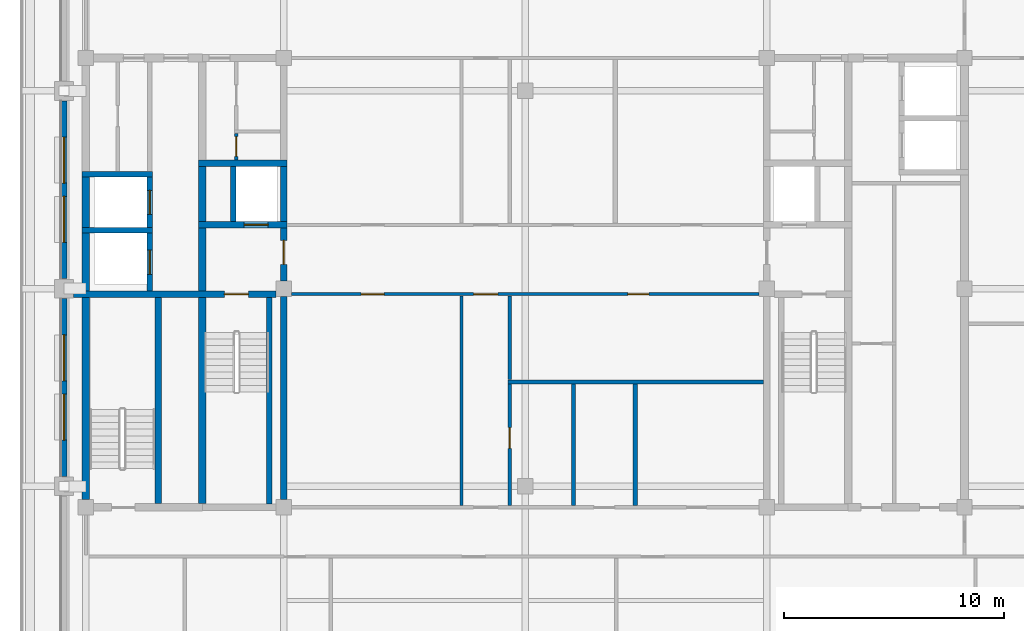
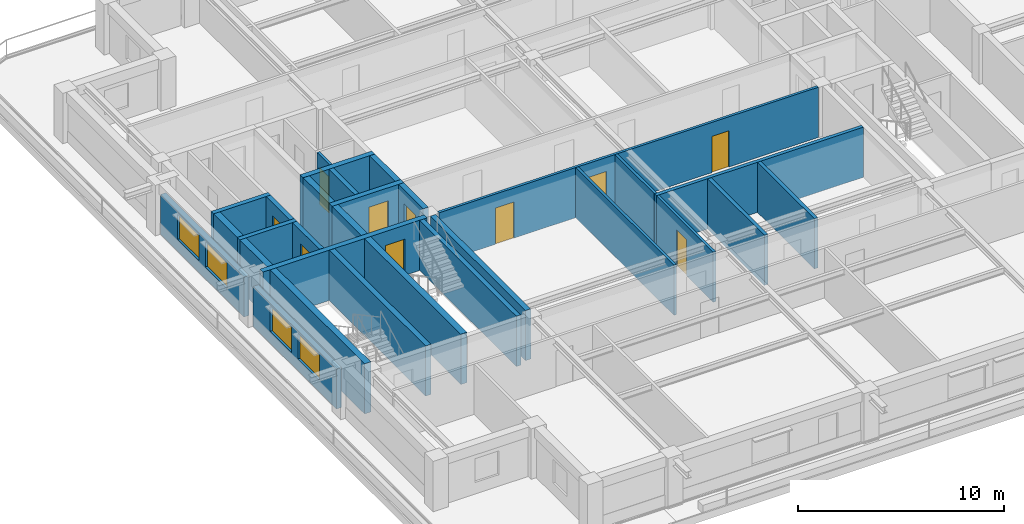
# One storey, part 3 of 11: 29 walls, 10 doors, 4 windows, 14 openings.
"""IFC4 building model written with IfcOpenShell, lengths in metres."""

from ifc_helpers import new_model, si_unit, direction, frame, frame_2d, origin, place, context, subcontext, project, spatial, rectangle, extrude, material, layer, layer_set, type_object, element, fill, save


model = new_model("IFC4")

# Units and contexts
model_context = context("Model", 3, precision=1e-05, world=origin(), true_north=direction((0.0, 1.0)))
body_context = subcontext(model_context, "Body", "Model", "MODEL_VIEW")
ifc_project = project(units=[si_unit("LENGTHUNIT", "METRE"), si_unit("AREAUNIT", "SQUARE_METRE"), si_unit("VOLUMEUNIT", "CUBIC_METRE"), si_unit("PLANEANGLEUNIT", "RADIAN"), si_unit("MASSUNIT", "GRAM", prefix="KILO")], contexts=[model_context])

# Site, building, storey
site_placement = place(None, origin())
site = spatial("IfcSite", under=ifc_project, at=site_placement, CompositionType="ELEMENT")
building_placement = place(site_placement, origin())
building = spatial("IfcBuilding", under=site, at=building_placement, Name="Zulmaris Gate Convention Tower", CompositionType="ELEMENT")
storey_placement = place(building_placement, frame((0.0, 0.0, 233.280029296875)))
storey = spatial("IfcBuildingStorey", under=building, at=storey_placement, Name="L61", CompositionType="ELEMENT", Elevation=233.280029296875)

# Walls
ifc_material_1 = material(Name="Concrete C50/60", Category="concrete")
ifc_layer_1 = layer(ifc_material_1, 0.25, Name="Concrete C50/60")
ifc_layer_set_1 = layer_set([ifc_layer_1], Name="Concrete C50/60")
wall_type_1 = type_object("IfcWallType", Name="CORE-250", PredefinedType="SOLIDWALL", material=ifc_layer_set_1)
for number, where, z_axis, x_axis, name in (
    (1, (-20.175048828125, 2.64990234375, 0.0), (0.0, 0.0, 1.0), (1.0, 0.0, 0.0), "WL-L61-007"),
    (2, (-20.175048828125, 5.199951171875, 0.0), (0.0, 0.0, 1.0), (1.0, 0.0, 0.0), "WL-L61-010"),
):
    element("IfcWall", number, at=place(storey_placement, frame(where, z_axis=z_axis, x_axis=x_axis)), inside=storey, type_object=wall_type_1, Name=name, PredefinedType="SOLIDWALL", context=body_context, shape_type="SweptSolid", body=[
        extrude(rectangle(XDim=3.199951171875, YDim=0.25, at=frame_2d((1.60009765625, 0.0))), origin(), (0.0, 0.0, 1.0), 2.97998046875),
    ])

# Wall, opening, door
wall_1_placement = place(storey_placement, frame((-17.10009765625, -0.097900390625, 0.0), z_axis=(0.0, 0.0, 1.0), x_axis=(0.0, 1.0, 0.0)))
wall_1 = element("IfcWall", 3, at=wall_1_placement, inside=storey, type_object=wall_type_1, Name="WL-L61-037", PredefinedType="SOLIDWALL", context=body_context, shape_type="SweptSolid", body=[
    extrude(rectangle(XDim=2.620849609375, YDim=0.25, at=frame_2d((1.310546875, 0.0))), origin(), (0.0, 0.0, 1.0), 2.97998046875),
])
opening_1_placement = place(wall_1_placement, frame((0.748046875, 0.0, 0.0)))
opening_1 = element("IfcOpeningElement", 4, at=opening_1_placement, cuts=wall_1, Name="Opening D-06", PredefinedType="OPENING", context=body_context, shape_type="SweptSolid", body=[
    extrude(rectangle(XDim=1.10009765625, YDim=2.199951171875, at=frame_2d((0.550048828125, 1.10009765625))), frame((0.0, 0.135009765625, 0.0), z_axis=(0.0, -1.0, 0.0), x_axis=(1.0, 0.0, 0.0)), (0.0, 0.0, 1.0), 0.27001953125),
])
ifc_material_2 = material(Name="Brushed Stainless Steel", Category="steel")
door_type_1 = type_object("IfcDoorType", Name="LD-1100", OperationType="NOTDEFINED", PredefinedType="DOOR", material=ifc_material_2)
door_1_placement = place(opening_1_placement, origin())
door_1 = element("IfcDoor", 5, at=door_1_placement, inside=storey, type_object=door_type_1, Name="L61 Lift Landing Door HP-03 14", OperationType="SLIDING_TO_LEFT", OverallHeight=2.199951171875, OverallWidth=1.10009765625, PredefinedType="DOOR", context=body_context, shape_type="SweptSolid", body=[
    extrude(rectangle(XDim=1.10009765625, YDim=2.199951171875, at=frame_2d((0.550048828125, 1.10009765625))), frame((0.0, 0.02490234375, 0.0), z_axis=(0.0, -1.0, 0.0), x_axis=(1.0, 0.0, 0.0)), (0.0, 0.0, 1.0), 0.050048828125),
])
fill(opening_1, door_1)

wall_2_placement = place(storey_placement, frame((-17.10009765625, 2.777099609375, 0.0), z_axis=(0.0, 0.0, 1.0), x_axis=(0.0, 1.0, 0.0)))
wall_2 = element("IfcWall", 6, at=wall_2_placement, inside=storey, type_object=wall_type_1, Name="WL-L61-038", PredefinedType="SOLIDWALL", context=body_context, shape_type="SweptSolid", body=[
    extrude(rectangle(XDim=2.2958984375, YDim=0.25, at=frame_2d((1.14794921875, 0.0))), origin(), (0.0, 0.0, 1.0), 2.97998046875),
])
opening_2_placement = place(wall_2_placement, frame((0.597900390625, 0.0, 0.0)))
opening_2 = element("IfcOpeningElement", 7, at=opening_2_placement, cuts=wall_2, Name="Opening D-06", PredefinedType="OPENING", context=body_context, shape_type="SweptSolid", body=[
    extrude(rectangle(XDim=1.10009765625, YDim=2.199951171875, at=frame_2d((0.550048828125, 1.10009765625))), frame((0.0, 0.135009765625, 0.0), z_axis=(0.0, -1.0, 0.0), x_axis=(1.0, 0.0, 0.0)), (0.0, 0.0, 1.0), 0.27001953125),
])
door_2_placement = place(opening_2_placement, origin())
door_2 = element("IfcDoor", 8, at=door_2_placement, inside=storey, type_object=door_type_1, Name="L61 Lift Landing Door HP-04 15", OperationType="SLIDING_TO_LEFT", OverallHeight=2.199951171875, OverallWidth=1.10009765625, PredefinedType="DOOR", context=body_context, shape_type="SweptSolid", body=[
    extrude(rectangle(XDim=1.10009765625, YDim=2.199951171875, at=frame_2d((0.550048828125, 1.10009765625))), frame((0.0, 0.02490234375, 0.0), z_axis=(0.0, -1.0, 0.0), x_axis=(1.0, 0.0, 0.0)), (0.0, 0.0, 1.0), 0.050048828125),
])
fill(opening_2, door_2)

# Walls
wall_3_placement = place(storey_placement, frame((-13.300048828125, 3.052001953125, 0.0), z_axis=(0.0, 0.0, 1.0), x_axis=(0.0, 1.0, 0.0)))
element("IfcWall", 9, at=wall_3_placement, inside=storey, type_object=wall_type_1, Name="WL-L61-044", PredefinedType="SOLIDWALL", context=body_context, shape_type="SweptSolid", body=[
    extrude(rectangle(XDim=2.49609375, YDim=0.25, at=frame_2d((1.248046875, 0.0))), origin(), (0.0, 0.0, 1.0), 2.97998046875),
])
wall_4_placement = place(storey_placement, frame((-11.64990234375, -9.798095703125, 0.0), z_axis=(0.0, 0.0, 1.0), x_axis=(0.0, 1.0, 0.0)))
element("IfcWall", 10, at=wall_4_placement, inside=storey, type_object=wall_type_1, Name="WL-L61-045", PredefinedType="SOLIDWALL", context=body_context, shape_type="SweptSolid", body=[
    extrude(rectangle(XDim=9.39599609375, YDim=0.25, at=frame_2d((4.697998046875, 0.0))), origin(), (0.0, 0.0, 1.0), 2.97998046875),
])

# Wall, opening, door
ifc_layer_2 = layer(ifc_material_1, 0.300048828125, Name="Concrete C50/60")
ifc_layer_set_2 = layer_set([ifc_layer_2], Name="Concrete C50/60")
wall_type_2 = type_object("IfcWallType", Name="CORE-300", PredefinedType="SHEAR", material=ifc_layer_set_2)
wall_5_placement = place(storey_placement, frame((-20.571044921875, -0.25, 0.0), z_axis=(0.0, 0.0, 1.0), x_axis=(1.0, 0.0, 0.0)))
wall_5 = element("IfcWall", 11, at=wall_5_placement, inside=storey, type_object=wall_type_2, Name="WL-L61-005", PredefinedType="SHEAR", context=body_context, shape_type="SweptSolid", body=[
    extrude(rectangle(XDim=9.217041015625, YDim=0.300048828125, at=frame_2d((4.6083984375, 0.0))), origin(), (0.0, 0.0, 1.0), 2.97998046875),
])
opening_3_placement = place(wall_5_placement, frame((6.87109375, 0.0, 0.0)))
opening_3 = element("IfcOpeningElement", 12, at=opening_3_placement, cuts=wall_5, Name="Opening D-08", PredefinedType="OPENING", context=body_context, shape_type="SweptSolid", body=[
    extrude(rectangle(XDim=1.10009765625, YDim=2.14990234375, at=frame_2d((0.550048828125, 1.074951171875))), frame((0.0, 0.16015625, 0.0), z_axis=(0.0, -1.0, 0.0), x_axis=(1.0, 0.0, 0.0)), (0.0, 0.0, 1.0), 0.320068359375),
])
ifc_material_3 = material(Name="Fire-Rated Steel", Category="steel")
door_type_2 = type_object("IfcDoorType", Name="DR-1100-FD", OperationType="NOTDEFINED", PredefinedType="DOOR", material=ifc_material_3)
door_3_placement = place(opening_3_placement, origin())
door_3 = element("IfcDoor", 13, at=door_3_placement, inside=storey, type_object=door_type_2, Name="L61 Exit Stair ST-1 Door 01", OperationType="SINGLE_SWING_LEFT", OverallHeight=2.14990234375, OverallWidth=1.10009765625, PredefinedType="DOOR", context=body_context, shape_type="SweptSolid", body=[
    extrude(rectangle(XDim=1.10009765625, YDim=2.14990234375, at=frame_2d((0.550048828125, 1.074951171875))), frame((0.0, 0.02490234375, 0.0), z_axis=(0.0, -1.0, 0.0), x_axis=(1.0, 0.0, 0.0)), (0.0, 0.0, 1.0), 0.050048828125),
])
fill(opening_3, door_3)

wall_6_placement = place(storey_placement, frame((-14.875, 2.89990234375, 0.0), z_axis=(0.0, 0.0, 1.0), x_axis=(1.0, 0.0, 0.0)))
wall_6 = element("IfcWall", 14, at=wall_6_placement, inside=storey, type_object=wall_type_2, Name="WL-L61-008", PredefinedType="SHEAR", context=body_context, shape_type="SweptSolid", body=[
    extrude(rectangle(XDim=4.02490234375, YDim=0.300048828125, at=frame_2d((2.012451171875, 0.0))), origin(), (0.0, 0.0, 1.0), 2.97998046875),
])
opening_4_placement = place(wall_6_placement, frame((2.074951171875, 0.0, 0.0)))
opening_4 = element("IfcOpeningElement", 15, at=opening_4_placement, cuts=wall_6, Name="Opening D-06", PredefinedType="OPENING", context=body_context, shape_type="SweptSolid", body=[
    extrude(rectangle(XDim=1.10009765625, YDim=2.199951171875, at=frame_2d((0.550048828125, 1.10009765625))), frame((0.0, 0.16015625, 0.0), z_axis=(0.0, -1.0, 0.0), x_axis=(1.0, 0.0, 0.0)), (0.0, 0.0, 1.0), 0.320068359375),
])
door_4_placement = place(opening_4_placement, origin())
door_4 = element("IfcDoor", 16, at=door_4_placement, inside=storey, type_object=door_type_1, Name="L61 Lift Landing Door LF-01 03", OperationType="SLIDING_TO_LEFT", OverallHeight=2.199951171875, OverallWidth=1.10009765625, PredefinedType="DOOR", context=body_context, shape_type="SweptSolid", body=[
    extrude(rectangle(XDim=1.10009765625, YDim=2.199951171875, at=frame_2d((0.550048828125, 1.10009765625))), frame((0.0, 0.02490234375, 0.0), z_axis=(0.0, -1.0, 0.0), x_axis=(1.0, 0.0, 0.0)), (0.0, 0.0, 1.0), 0.050048828125),
])
fill(opening_4, door_4)

# Walls
wall_7_placement = place(storey_placement, frame((-14.875, 5.699951171875, 0.0), z_axis=(0.0, 0.0, 1.0), x_axis=(1.0, 0.0, 0.0)))
element("IfcWall", 17, at=wall_7_placement, inside=storey, type_object=wall_type_2, Name="WL-L61-012", PredefinedType="SHEAR", context=body_context, shape_type="SweptSolid", body=[
    extrude(rectangle(XDim=4.02490234375, YDim=0.300048828125, at=frame_2d((2.012451171875, 0.0))), origin(), (0.0, 0.0, 1.0), 2.97998046875),
])
wall_8_placement = place(storey_placement, frame((-16.699951171875, -9.77294921875, 0.0), z_axis=(0.0, 0.0, 1.0), x_axis=(0.0, 1.0, 0.0)))
element("IfcWall", 18, at=wall_8_placement, inside=storey, type_object=wall_type_2, Name="WL-L61-039", PredefinedType="SHEAR", context=body_context, shape_type="SweptSolid", body=[
    extrude(rectangle(XDim=9.370849609375, YDim=0.300048828125, at=frame_2d((4.685546875, 0.0))), origin(), (0.0, 0.0, 1.0), 2.97998046875),
])
wall_9_placement = place(storey_placement, frame((-11.0, -9.595947265625, 0.0), z_axis=(0.0, 0.0, 1.0), x_axis=(0.0, 1.0, 0.0)))
element("IfcWall", 19, at=wall_9_placement, inside=storey, type_object=wall_type_2, Name="WL-L61-046", PredefinedType="SHEAR", context=body_context, shape_type="SweptSolid", body=[
    extrude(rectangle(XDim=9.241943359375, YDim=0.300048828125, at=frame_2d((4.62109375, 0.0))), origin(), (0.0, 0.0, 1.0), 2.97998046875),
])

# Wall, opening, door
wall_10_placement = place(storey_placement, frame((-11.0, 0.35400390625, 0.0), z_axis=(0.0, 0.0, 1.0), x_axis=(0.0, 1.0, 0.0)))
wall_10 = element("IfcWall", 20, at=wall_10_placement, inside=storey, type_object=wall_type_2, Name="WL-L61-047", PredefinedType="SHEAR", context=body_context, shape_type="SweptSolid", body=[
    extrude(rectangle(XDim=2.39404296875, YDim=0.300048828125, at=frame_2d((1.197021484375, 0.0))), origin(), (0.0, 0.0, 1.0), 2.97998046875),
])
opening_5_placement = place(wall_10_placement, frame((0.74609375, 0.0, 0.0)))
opening_5 = element("IfcOpeningElement", 21, at=opening_5_placement, cuts=wall_10, Name="Opening D-08", PredefinedType="OPENING", context=body_context, shape_type="SweptSolid", body=[
    extrude(rectangle(XDim=1.10009765625, YDim=2.14990234375, at=frame_2d((0.550048828125, 1.074951171875))), frame((0.0, 0.16015625, 0.0), z_axis=(0.0, -1.0, 0.0), x_axis=(1.0, 0.0, 0.0)), (0.0, 0.0, 1.0), 0.320068359375),
])
door_5_placement = place(opening_5_placement, origin())
door_5 = element("IfcDoor", 22, at=door_5_placement, inside=storey, type_object=door_type_2, Name="L61 West Firefighting Lobby Door 02", OperationType="SINGLE_SWING_RIGHT", OverallHeight=2.14990234375, OverallWidth=1.10009765625, PredefinedType="DOOR", context=body_context, shape_type="SweptSolid", body=[
    extrude(rectangle(XDim=1.10009765625, YDim=2.14990234375, at=frame_2d((0.550048828125, 1.074951171875))), frame((0.0, 0.02490234375, 0.0), z_axis=(0.0, -1.0, 0.0), x_axis=(1.0, 0.0, 0.0)), (0.0, 0.0, 1.0), 0.050048828125),
])
fill(opening_5, door_5)

# Walls
wall_11_placement = place(storey_placement, frame((-11.0, 3.052001953125, 0.0), z_axis=(0.0, 0.0, 1.0), x_axis=(0.0, 1.0, 0.0)))
element("IfcWall", 23, at=wall_11_placement, inside=storey, type_object=wall_type_2, Name="WL-L61-048", PredefinedType="SHEAR", context=body_context, shape_type="SweptSolid", body=[
    extrude(rectangle(XDim=2.49609375, YDim=0.300048828125, at=frame_2d((1.248046875, 0.0))), origin(), (0.0, 0.0, 1.0), 2.97998046875),
])
ifc_material_4 = material(Name="Concrete C55/67", Category="concrete")
ifc_layer_3 = layer(ifc_material_4, 0.35009765625, Name="Concrete C55/67")
ifc_layer_set_3 = layer_set([ifc_layer_3], Name="Concrete C55/67")
wall_type_3 = type_object("IfcWallType", Name="CORE-350", PredefinedType="SHEAR", material=ifc_layer_set_3)
wall_12_placement = place(storey_placement, frame((-20.0, -9.595947265625, 0.0), z_axis=(0.0, 0.0, 1.0), x_axis=(0.0, 1.0, 0.0)))
element("IfcWall", 24, at=wall_12_placement, inside=storey, type_object=wall_type_3, Name="WL-L61-033", PredefinedType="SHEAR", context=body_context, shape_type="SweptSolid", body=[
    extrude(rectangle(XDim=9.19384765625, YDim=0.35009765625, at=frame_2d((4.596923828125, 0.0))), origin(), (0.0, 0.0, 1.0), 2.97998046875),
])
wall_13_placement = place(storey_placement, frame((-20.0, -0.097900390625, 0.0), z_axis=(0.0, 0.0, 1.0), x_axis=(0.0, 1.0, 0.0)))
element("IfcWall", 25, at=wall_13_placement, inside=storey, type_object=wall_type_3, Name="WL-L61-034", PredefinedType="SHEAR", context=body_context, shape_type="SweptSolid", body=[
    extrude(rectangle(XDim=2.620849609375, YDim=0.35009765625, at=frame_2d((1.310546875, 0.0))), origin(), (0.0, 0.0, 1.0), 2.97998046875),
])
wall_14_placement = place(storey_placement, frame((-20.0, 2.777099609375, 0.0), z_axis=(0.0, 0.0, 1.0), x_axis=(0.0, 1.0, 0.0)))
element("IfcWall", 26, at=wall_14_placement, inside=storey, type_object=wall_type_3, Name="WL-L61-035", PredefinedType="SHEAR", context=body_context, shape_type="SweptSolid", body=[
    extrude(rectangle(XDim=2.2958984375, YDim=0.35009765625, at=frame_2d((1.14794921875, 0.0))), origin(), (0.0, 0.0, 1.0), 2.97998046875),
])
wall_15_placement = place(storey_placement, frame((-14.699951171875, -9.77294921875, 0.0), z_axis=(0.0, 0.0, 1.0), x_axis=(0.0, 1.0, 0.0)))
element("IfcWall", 27, at=wall_15_placement, inside=storey, type_object=wall_type_3, Name="WL-L61-040", PredefinedType="SHEAR", context=body_context, shape_type="SweptSolid", body=[
    extrude(rectangle(XDim=9.370849609375, YDim=0.35009765625, at=frame_2d((4.685546875, 0.0))), origin(), (0.0, 0.0, 1.0), 2.97998046875),
])
wall_16_placement = place(storey_placement, frame((-14.699951171875, -0.097900390625, 0.0), z_axis=(0.0, 0.0, 1.0), x_axis=(0.0, 1.0, 0.0)))
element("IfcWall", 28, at=wall_16_placement, inside=storey, type_object=wall_type_3, Name="WL-L61-041", PredefinedType="SHEAR", context=body_context, shape_type="SweptSolid", body=[
    extrude(rectangle(XDim=2.845947265625, YDim=0.35009765625, at=frame_2d((1.4228515625, 0.0))), origin(), (0.0, 0.0, 1.0), 2.97998046875),
])
wall_17_placement = place(storey_placement, frame((-14.699951171875, 3.052001953125, 0.0), z_axis=(0.0, 0.0, 1.0), x_axis=(0.0, 1.0, 0.0)))
element("IfcWall", 29, at=wall_17_placement, inside=storey, type_object=wall_type_3, Name="WL-L61-042", PredefinedType="SHEAR", context=body_context, shape_type="SweptSolid", body=[
    extrude(rectangle(XDim=2.49609375, YDim=0.35009765625, at=frame_2d((1.248046875, 0.0))), origin(), (0.0, 0.0, 1.0), 2.97998046875),
])

# Wall, openings, doors
ifc_material_5 = material(Name="Gypsum Metal Stud Partition")
ifc_layer_4 = layer(ifc_material_5, 0.14990234375, Name="Gypsum Metal Stud Partition")
ifc_layer_set_4 = layer_set([ifc_layer_4], Name="Gypsum Metal Stud Partition")
wall_type_4 = type_object("IfcWallType", Name="PART-150", PredefinedType="PARTITIONING", material=ifc_layer_set_4)
wall_18_placement = place(storey_placement, frame((-10.64404296875, -0.25, 0.0), z_axis=(0.0, 0.0, 1.0), x_axis=(1.0, 0.0, 0.0)))
wall_18 = element("IfcWall", 30, at=wall_18_placement, inside=storey, type_object=wall_type_4, Name="WL-L61-025", PredefinedType="PARTITIONING", context=body_context, shape_type="SweptSolid", body=[
    extrude(rectangle(XDim=21.2880859375, YDim=0.14990234375, at=frame_2d((10.64404296875, 0.0))), origin(), (0.0, 0.0, 1.0), 2.97998046875),
])
opening_6_placement = place(wall_18_placement, frame((8.2939453125, 0.0, 0.0)))
opening_6 = element("IfcOpeningElement", 31, at=opening_6_placement, cuts=wall_18, Name="Opening D-08", PredefinedType="OPENING", context=body_context, shape_type="SweptSolid", body=[
    extrude(rectangle(XDim=1.10009765625, YDim=2.14990234375, at=frame_2d((0.550048828125, 1.074951171875))), frame((0.0, 0.0849609375, 0.0), z_axis=(0.0, -1.0, 0.0), x_axis=(1.0, 0.0, 0.0)), (0.0, 0.0, 1.0), 0.169921875),
])
opening_7_placement = place(wall_18_placement, frame((3.1689453125, 0.0, 0.0)))
opening_7 = element("IfcOpeningElement", 32, at=opening_7_placement, cuts=wall_18, Name="Opening D-09", PredefinedType="OPENING", context=body_context, shape_type="SweptSolid", body=[
    extrude(rectangle(XDim=1.050048828125, YDim=2.14990234375, at=frame_2d((0.52490234375, 1.074951171875))), frame((0.0, 0.0849609375, 0.0), z_axis=(0.0, -1.0, 0.0), x_axis=(1.0, 0.0, 0.0)), (0.0, 0.0, 1.0), 0.169921875),
])
opening_8_placement = place(wall_18_placement, frame((15.319091796875, 0.0, 0.0)))
opening_8 = element("IfcOpeningElement", 33, at=opening_8_placement, cuts=wall_18, Name="Opening D-11", PredefinedType="OPENING", context=body_context, shape_type="SweptSolid", body=[
    extrude(rectangle(XDim=0.949951171875, YDim=2.14990234375, at=frame_2d((0.47509765625, 1.074951171875))), frame((0.0, 0.0849609375, 0.0), z_axis=(0.0, -1.0, 0.0), x_axis=(1.0, 0.0, 0.0)), (0.0, 0.0, 1.0), 0.169921875),
])
door_type_3 = type_object("IfcDoorType", Name="DR-1050-FD", OperationType="NOTDEFINED", PredefinedType="DOOR", material=ifc_material_3)
door_6_placement = place(opening_7_placement, origin())
door_6 = element("IfcDoor", 34, at=door_6_placement, inside=storey, type_object=door_type_3, Name="L61 Sky Library Door 41", OperationType="SINGLE_SWING_LEFT", OverallHeight=2.14990234375, OverallWidth=1.050048828125, PredefinedType="DOOR", context=body_context, shape_type="SweptSolid", body=[
    extrude(rectangle(XDim=1.050048828125, YDim=2.14990234375, at=frame_2d((0.52490234375, 1.074951171875))), frame((0.0, 0.02490234375, 0.0), z_axis=(0.0, -1.0, 0.0), x_axis=(1.0, 0.0, 0.0)), (0.0, 0.0, 1.0), 0.050048828125),
])
fill(opening_7, door_6)
door_7_placement = place(opening_6_placement, origin())
door_7 = element("IfcDoor", 35, at=door_7_placement, inside=storey, type_object=door_type_2, Name="L61 Exec Cross South Door 28", OperationType="SINGLE_SWING_RIGHT", OverallHeight=2.14990234375, OverallWidth=1.10009765625, PredefinedType="DOOR", context=body_context, shape_type="SweptSolid", body=[
    extrude(rectangle(XDim=1.10009765625, YDim=2.14990234375, at=frame_2d((0.550048828125, 1.074951171875))), frame((0.0, 0.02490234375, 0.0), z_axis=(0.0, -1.0, 0.0), x_axis=(1.0, 0.0, 0.0)), (0.0, 0.0, 1.0), 0.050048828125),
])
fill(opening_6, door_7)
ifc_material_6 = material(Name="Fire-Rated Timber", Category="wood")
door_type_4 = type_object("IfcDoorType", Name="DR-950-FD", OperationType="NOTDEFINED", PredefinedType="DOOR", material=ifc_material_6)
door_8_placement = place(opening_8_placement, origin())
door_8 = element("IfcDoor", 36, at=door_8_placement, inside=storey, type_object=door_type_4, Name="L61 Public WC Door 42", OperationType="SINGLE_SWING_RIGHT", OverallHeight=2.14990234375, OverallWidth=0.949951171875, PredefinedType="DOOR", context=body_context, shape_type="SweptSolid", body=[
    extrude(rectangle(XDim=0.949951171875, YDim=2.14990234375, at=frame_2d((0.47509765625, 1.074951171875))), frame((0.0, 0.02490234375, 0.0), z_axis=(0.0, -1.0, 0.0), x_axis=(1.0, 0.0, 0.0)), (0.0, 0.0, 1.0), 0.050048828125),
])
fill(opening_8, door_8)

# Wall, opening, door
wall_19_placement = place(storey_placement, frame((-13.14990234375, 5.85302734375, 0.0), z_axis=(0.0, 0.0, 1.0), x_axis=(0.0, 1.0, 0.0)))
wall_19 = element("IfcWall", 37, at=wall_19_placement, inside=storey, type_object=wall_type_4, Name="WL-L61-070", PredefinedType="PARTITIONING", context=body_context, shape_type="SweptSolid", body=[
    extrude(rectangle(XDim=1.218994140625, YDim=0.14990234375, at=frame_2d((0.609375, 0.0))), origin(), (0.0, 0.0, 1.0), 2.97998046875),
])
opening_9_placement = place(wall_19_placement, frame((0.1689453125, 0.0, 0.0)))
opening_9 = element("IfcOpeningElement", 38, at=opening_9_placement, cuts=wall_19, Name="Opening D-12", PredefinedType="OPENING", context=body_context, shape_type="SweptSolid", body=[
    extrude(rectangle(XDim=0.89990234375, YDim=2.14990234375, at=frame_2d((0.449951171875, 1.074951171875))), frame((0.0, 0.0849609375, 0.0), z_axis=(0.0, -1.0, 0.0), x_axis=(1.0, 0.0, 0.0)), (0.0, 0.0, 1.0), 0.169921875),
])
door_type_5 = type_object("IfcDoorType", Name="DR-900-FD", OperationType="NOTDEFINED", PredefinedType="DOOR", material=ifc_material_6)
door_9_placement = place(opening_9_placement, origin())
door_9 = element("IfcDoor", 39, at=door_9_placement, inside=storey, type_object=door_type_5, Name="L61 Stationery Closet Door 08", OperationType="SINGLE_SWING_RIGHT", OverallHeight=2.14990234375, OverallWidth=0.89990234375, PredefinedType="DOOR", context=body_context, shape_type="SweptSolid", body=[
    extrude(rectangle(XDim=0.89990234375, YDim=2.14990234375, at=frame_2d((0.449951171875, 1.074951171875))), frame((0.0, 0.02490234375, 0.0), z_axis=(0.0, -1.0, 0.0), x_axis=(1.0, 0.0, 0.0)), (0.0, 0.0, 1.0), 0.050048828125),
])
fill(opening_9, door_9)

# Wall
wall_20_placement = place(storey_placement, frame((-2.89990234375, -9.8720703125, 0.0), z_axis=(0.0, 0.0, 1.0), x_axis=(0.0, 1.0, 0.0)))
element("IfcWall", 40, at=wall_20_placement, inside=storey, type_object=wall_type_4, Name="WL-L61-075", PredefinedType="PARTITIONING", context=body_context, shape_type="SweptSolid", body=[
    extrude(rectangle(XDim=9.544189453125, YDim=0.14990234375, at=frame_2d((4.77197265625, 0.0))), origin(), (0.0, 0.0, 1.0), 2.97998046875),
])

# Wall, opening, door
wall_21_placement = place(storey_placement, frame((-0.699951171875, -9.8720703125, 0.0), z_axis=(0.0, 0.0, 1.0), x_axis=(0.0, 1.0, 0.0)))
wall_21 = element("IfcWall", 41, at=wall_21_placement, inside=storey, type_object=wall_type_4, Name="WL-L61-077", PredefinedType="PARTITIONING", context=body_context, shape_type="SweptSolid", body=[
    extrude(rectangle(XDim=5.51904296875, YDim=0.14990234375, at=frame_2d((2.759521484375, 0.0))), origin(), (0.0, 0.0, 1.0), 2.97998046875),
])
opening_10_placement = place(wall_21_placement, frame((2.596923828125, 0.0, 0.0)))
opening_10 = element("IfcOpeningElement", 42, at=opening_10_placement, cuts=wall_21, Name="Opening D-11", PredefinedType="OPENING", context=body_context, shape_type="SweptSolid", body=[
    extrude(rectangle(XDim=0.949951171875, YDim=2.14990234375, at=frame_2d((0.47509765625, 1.074951171875))), frame((0.0, 0.0849609375, 0.0), z_axis=(0.0, -1.0, 0.0), x_axis=(1.0, 0.0, 0.0)), (0.0, 0.0, 1.0), 0.169921875),
])
door_10_placement = place(opening_10_placement, origin())
door_10 = element("IfcDoor", 43, at=door_10_placement, inside=storey, type_object=door_type_4, Name="L61 Hygiene Supply Door 43", OperationType="SINGLE_SWING_LEFT", OverallHeight=2.14990234375, OverallWidth=0.949951171875, PredefinedType="DOOR", context=body_context, shape_type="SweptSolid", body=[
    extrude(rectangle(XDim=0.949951171875, YDim=2.14990234375, at=frame_2d((0.47509765625, 1.074951171875))), frame((0.0, 0.02490234375, 0.0), z_axis=(0.0, -1.0, 0.0), x_axis=(1.0, 0.0, 0.0)), (0.0, 0.0, 1.0), 0.050048828125),
])
fill(opening_10, door_10)

# Walls
wall_22_placement = place(storey_placement, frame((-0.699951171875, -4.14697265625, 0.0), z_axis=(0.0, 0.0, 1.0), x_axis=(0.0, 1.0, 0.0)))
element("IfcWall", 44, at=wall_22_placement, inside=storey, type_object=wall_type_4, Name="WL-L61-078", PredefinedType="PARTITIONING", context=body_context, shape_type="SweptSolid", body=[
    extrude(rectangle(XDim=3.819091796875, YDim=0.14990234375, at=frame_2d((1.90966796875, 0.0))), origin(), (0.0, 0.0, 1.0), 2.97998046875),
])
ifc_material_7 = material(Name="Autoclaved Aerated Concrete Block and Plasterboard", Category="concrete")
ifc_layer_5 = layer(ifc_material_7, 0.199951171875, Name="Autoclaved Aerated Concrete Block and Plasterboard")
ifc_layer_set_5 = layer_set([ifc_layer_5], Name="Autoclaved Aerated Concrete Block and Plasterboard")
wall_type_5 = type_object("IfcWallType", Name="PART-200", PredefinedType="PARTITIONING", material=ifc_layer_set_5)
wall_23_placement = place(storey_placement, frame((-0.77490234375, -4.25, 0.0), z_axis=(0.0, 0.0, 1.0), x_axis=(1.0, 0.0, 0.0)))
element("IfcWall", 45, at=wall_23_placement, inside=storey, type_object=wall_type_5, Name="WL-L61-022", PredefinedType="PARTITIONING", context=body_context, shape_type="SweptSolid", body=[
    extrude(rectangle(XDim=11.621826171875, YDim=0.199951171875, at=frame_2d((5.81103515625, 0.0))), origin(), (0.0, 0.0, 1.0), 2.97998046875),
])
for number, where, z_axis, x_axis, name in (
    (46, (2.199951171875, -9.8720703125, 0.0), (0.0, 0.0, 1.0), (0.0, 1.0, 0.0), "WL-L61-081"),
    (47, (5.0, -9.8720703125, 0.0), (0.0, 0.0, 1.0), (0.0, 1.0, 0.0), "WL-L61-084"),
):
    element("IfcWall", number, at=place(storey_placement, frame(where, z_axis=z_axis, x_axis=x_axis)), inside=storey, type_object=wall_type_5, Name=name, PredefinedType="PARTITIONING", context=body_context, shape_type="SweptSolid", body=[
        extrude(rectangle(XDim=5.51904296875, YDim=0.199951171875, at=frame_2d((2.759521484375, 0.0))), origin(), (0.0, 0.0, 1.0), 2.97998046875),
    ])

# Wall, openings, windows
ifc_material_8 = material(Name="Precast concrete C40/50", Category="concrete")
ifc_layer_6 = layer(ifc_material_8, 0.300048828125, Name="Precast concrete C40/50")
ifc_layer_set_6 = layer_set([ifc_layer_6], Name="Precast concrete C40/50")
wall_type_6 = type_object("IfcWallType", Name="PRECAST-PIER-300", PredefinedType="STANDARD", material=ifc_layer_set_6)
wall_24_placement = place(storey_placement, frame((-21.0, -0.455078125, 0.0), z_axis=(0.0, 0.0, 1.0), x_axis=(0.0, -1.0, 0.0)))
wall_24 = element("IfcWall", 48, at=wall_24_placement, inside=storey, type_object=wall_type_6, Name="EW-L61-W-1_0", PredefinedType="STANDARD", context=body_context, shape_type="SweptSolid", body=[
    extrude(rectangle(XDim=8.08984375, YDim=0.300048828125, at=frame_2d((4.044921875, 0.0))), origin(), (0.0, 0.0, 1.0), 2.3720703125),
])
opening_11_placement = place(wall_24_placement, frame((1.64697265625, 0.0, 0.699951171875)))
opening_11 = element("IfcOpeningElement", 49, at=opening_11_placement, cuts=wall_24, Name="Opening W-05", PredefinedType="OPENING", context=body_context, shape_type="SweptSolid", body=[
    extrude(rectangle(XDim=2.10009765625, YDim=1.5, at=frame_2d((1.050048828125, 0.75))), frame((0.0, 0.16015625, 0.0), z_axis=(0.0, -1.0, 0.0), x_axis=(1.0, 0.0, 0.0)), (0.0, 0.0, 1.0), 0.320068359375),
])
opening_12_placement = place(wall_24_placement, frame((4.343017578125, 0.0, 0.699951171875)))
opening_12 = element("IfcOpeningElement", 50, at=opening_12_placement, cuts=wall_24, Name="Opening W-05", PredefinedType="OPENING", context=body_context, shape_type="SweptSolid", body=[
    extrude(rectangle(XDim=2.10009765625, YDim=1.5, at=frame_2d((1.050048828125, 0.75))), frame((0.0, 0.16015625, 0.0), z_axis=(0.0, -1.0, 0.0), x_axis=(1.0, 0.0, 0.0)), (0.0, 0.0, 1.0), 0.320068359375),
])
ifc_material_9 = material(Name="Low-E Laminated Double Glazing in Aluminium Frame", Category="aluminium")
window_type = type_object("IfcWindowType", Name="WIN-2100x2400", PartitioningType="SINGLE_PANEL", PredefinedType="WINDOW", material=ifc_material_9)
window_1_placement = place(opening_11_placement, origin())
window_1 = element("IfcWindow", 51, at=window_1_placement, inside=storey, type_object=window_type, Name="WN-EW-L61-W-1_0-1", OverallHeight=1.5, OverallWidth=2.10009765625, PartitioningType="SINGLE_PANEL", PredefinedType="WINDOW", context=body_context, shape_type="SweptSolid", body=[
    extrude(rectangle(XDim=2.10009765625, YDim=1.5, at=frame_2d((1.050048828125, 0.75))), frame((0.0, 0.030029296875, 0.0), z_axis=(0.0, -1.0, 0.0), x_axis=(1.0, 0.0, 0.0)), (0.0, 0.0, 1.0), 0.06005859375),
])
fill(opening_11, window_1)
window_2_placement = place(opening_12_placement, origin())
window_2 = element("IfcWindow", 52, at=window_2_placement, inside=storey, type_object=window_type, Name="WN-EW-L61-W-1_0-2", OverallHeight=1.5, OverallWidth=2.10009765625, PartitioningType="SINGLE_PANEL", PredefinedType="WINDOW", context=body_context, shape_type="SweptSolid", body=[
    extrude(rectangle(XDim=2.10009765625, YDim=1.5, at=frame_2d((1.050048828125, 0.75))), frame((0.0, 0.030029296875, 0.0), z_axis=(0.0, -1.0, 0.0), x_axis=(1.0, 0.0, 0.0)), (0.0, 0.0, 1.0), 0.06005859375),
])
fill(opening_12, window_2)

wall_25_placement = place(storey_placement, frame((-21.0, 8.544921875, 0.0), z_axis=(0.0, 0.0, 1.0), x_axis=(0.0, -1.0, 0.0)))
wall_25 = element("IfcWall", 53, at=wall_25_placement, inside=storey, type_object=wall_type_6, Name="EW-L61-W-2_0", PredefinedType="STANDARD", context=body_context, shape_type="SweptSolid", body=[
    extrude(rectangle(XDim=8.08984375, YDim=0.300048828125, at=frame_2d((4.044921875, 0.0))), origin(), (0.0, 0.0, 1.0), 2.3720703125),
])
opening_13_placement = place(wall_25_placement, frame((1.64697265625, 0.0, 0.699951171875)))
opening_13 = element("IfcOpeningElement", 54, at=opening_13_placement, cuts=wall_25, Name="Opening W-05", PredefinedType="OPENING", context=body_context, shape_type="SweptSolid", body=[
    extrude(rectangle(XDim=2.10009765625, YDim=1.5, at=frame_2d((1.050048828125, 0.75))), frame((0.0, 0.16015625, 0.0), z_axis=(0.0, -1.0, 0.0), x_axis=(1.0, 0.0, 0.0)), (0.0, 0.0, 1.0), 0.320068359375),
])
opening_14_placement = place(wall_25_placement, frame((4.343017578125, 0.0, 0.699951171875)))
opening_14 = element("IfcOpeningElement", 55, at=opening_14_placement, cuts=wall_25, Name="Opening W-05", PredefinedType="OPENING", context=body_context, shape_type="SweptSolid", body=[
    extrude(rectangle(XDim=2.10009765625, YDim=1.5, at=frame_2d((1.050048828125, 0.75))), frame((0.0, 0.16015625, 0.0), z_axis=(0.0, -1.0, 0.0), x_axis=(1.0, 0.0, 0.0)), (0.0, 0.0, 1.0), 0.320068359375),
])
window_3_placement = place(opening_13_placement, origin())
window_3 = element("IfcWindow", 56, at=window_3_placement, inside=storey, type_object=window_type, Name="WN-EW-L61-W-2_0-1", OverallHeight=1.5, OverallWidth=2.10009765625, PartitioningType="SINGLE_PANEL", PredefinedType="WINDOW", context=body_context, shape_type="SweptSolid", body=[
    extrude(rectangle(XDim=2.10009765625, YDim=1.5, at=frame_2d((1.050048828125, 0.75))), frame((0.0, 0.030029296875, 0.0), z_axis=(0.0, -1.0, 0.0), x_axis=(1.0, 0.0, 0.0)), (0.0, 0.0, 1.0), 0.06005859375),
])
fill(opening_13, window_3)
window_4_placement = place(opening_14_placement, origin())
window_4 = element("IfcWindow", 57, at=window_4_placement, inside=storey, type_object=window_type, Name="WN-EW-L61-W-2_0-2", OverallHeight=1.5, OverallWidth=2.10009765625, PartitioningType="SINGLE_PANEL", PredefinedType="WINDOW", context=body_context, shape_type="SweptSolid", body=[
    extrude(rectangle(XDim=2.10009765625, YDim=1.5, at=frame_2d((1.050048828125, 0.75))), frame((0.0, 0.030029296875, 0.0), z_axis=(0.0, -1.0, 0.0), x_axis=(1.0, 0.0, 0.0)), (0.0, 0.0, 1.0), 0.06005859375),
])
fill(opening_14, window_4)

save(model, "model.ifc")
